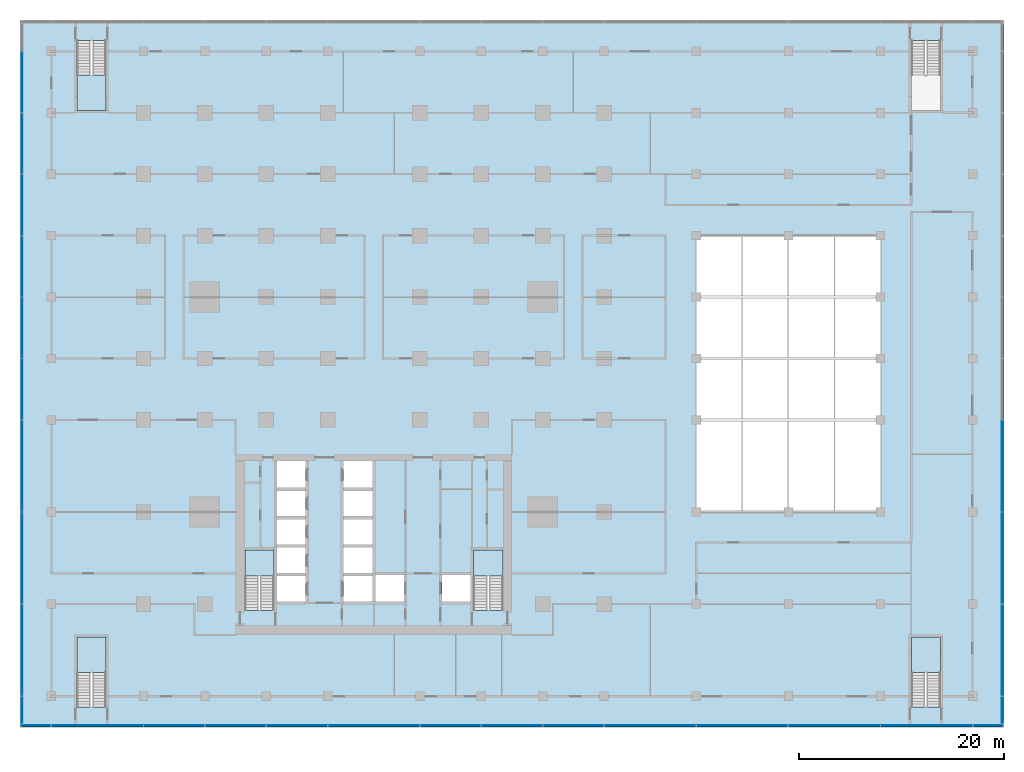
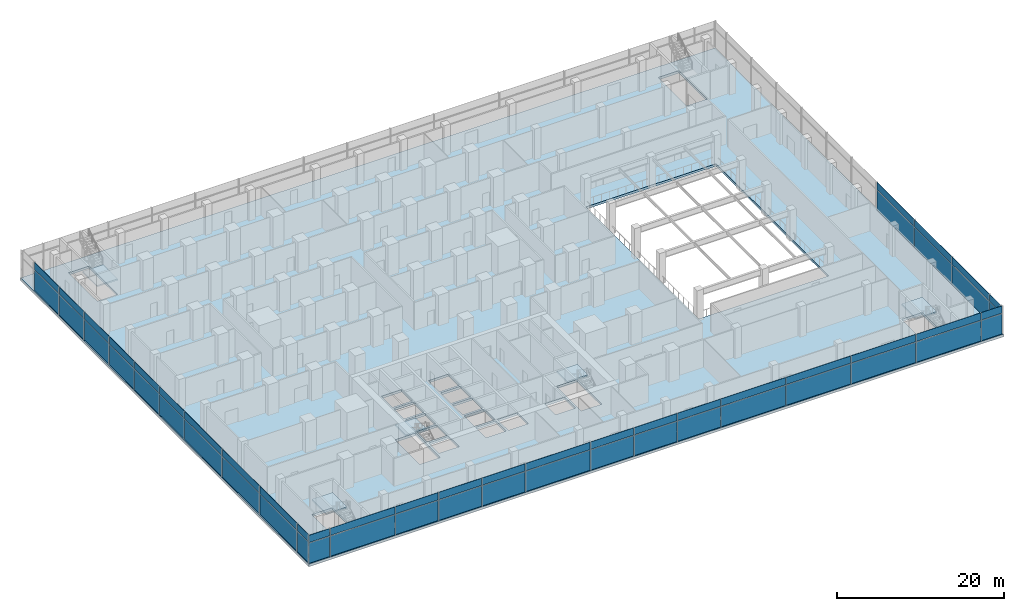
# One storey, part 10 of 22: 56 plates, 6 slabs, 8 elements without a shape of their own.
"""IFC4 building model written with IfcOpenShell, lengths in metres."""

from ifc_helpers import new_model, si_unit, direction, frame, origin, origin_2d, place, context, subcontext, project, spatial, polyline, rectangle, outline, extrude, material, layer, layer_set, type_object, element, aggregate, save


model = new_model("IFC4")

# Units and contexts
model_context = context("Model", 3, precision=1e-05, world=origin(), true_north=direction((0.0, 1.0)))
body_context = subcontext(model_context, "Body", "Model", "MODEL_VIEW")
ifc_project = project(units=[si_unit("LENGTHUNIT", "METRE"), si_unit("AREAUNIT", "SQUARE_METRE"), si_unit("VOLUMEUNIT", "CUBIC_METRE"), si_unit("PLANEANGLEUNIT", "RADIAN"), si_unit("MASSUNIT", "GRAM", prefix="KILO")], contexts=[model_context])

# Site, building, storey
site_placement = place(None, origin())
site = spatial("IfcSite", under=ifc_project, at=site_placement, CompositionType="ELEMENT")
building_placement = place(site_placement, origin())
building = spatial("IfcBuilding", under=site, at=building_placement, Name="Finial Court Residences", CompositionType="ELEMENT")
storey_placement = place(building_placement, frame((0.0, 0.0, 28.0)))
storey = spatial("IfcBuildingStorey", under=building, at=storey_placement, Name="L05", CompositionType="ELEMENT", Elevation=28.0)

# Curtain wall, plates
ifc_material_1 = material(Name="Bronze anodised aluminium", Category="aluminium")
curtain_wall_type = type_object("IfcCurtainWallType", Name="Podium curtain wall", PredefinedType="NOTDEFINED", material=ifc_material_1)
curtain_wall_1_placement = place(storey_placement, origin())
curtain_wall_1 = element("IfcCurtainWall", 1, at=curtain_wall_1_placement, inside=storey, type_object=curtain_wall_type, Name="E-L05-CW-E2", PredefinedType="NOTDEFINED")
ifc_material_2 = material(Name="Clear low-e glass", Category="glass")
ifc_layer_1 = layer(ifc_material_2, 0.035888671875)
ifc_layer_set_1 = layer_set([ifc_layer_1], Name="CW5 vision glass 36")
plate_type = type_object("IfcPlateType", Name="CW5 vision glass 36", PredefinedType="CURTAIN_PANEL", material=ifc_layer_set_1)
plate_1_placement = place(storey_placement, frame((61.35009765625, -32.8486328125, 0.0), z_axis=(0.0, 0.0, 1.0), x_axis=(0.0, 1.0, 0.0)))
plate_1 = element("IfcPlate", 2, at=plate_1_placement, type_object=plate_type, Name="CW5 glass 1.1", PredefinedType="CURTAIN_PANEL", context=body_context, shape_type="SweptSolid", body=[
    extrude(rectangle(XDim=2.617431640625, YDim=0.035888671875, at=origin_2d()), origin(), (0.0, 0.0, 1.0), 2.9599609375),
])
plate_2_placement = place(storey_placement, frame((61.35009765625, -32.8486328125, 3.0400390625), z_axis=(0.0, 0.0, 1.0), x_axis=(0.0, 1.0, 0.0)))
plate_2 = element("IfcPlate", 3, at=plate_2_placement, type_object=plate_type, Name="CW5 glass 1.2", PredefinedType="CURTAIN_PANEL", context=body_context, shape_type="SweptSolid", body=[
    extrude(rectangle(XDim=2.617431640625, YDim=0.035888671875, at=origin_2d()), origin(), (0.0, 0.0, 1.0), 1.06005859375),
])
plate_3_placement = place(storey_placement, frame((61.35009765625, -27.0, 0.0), z_axis=(0.0, 0.0, 1.0), x_axis=(0.0, 1.0, 0.0)))
plate_3 = element("IfcPlate", 4, at=plate_3_placement, type_object=plate_type, Name="CW5 glass 2.1", PredefinedType="CURTAIN_PANEL", context=body_context, shape_type="SweptSolid", body=[
    extrude(rectangle(XDim=8.919921875, YDim=0.035888671875, at=origin_2d()), origin(), (0.0, 0.0, 1.0), 2.9599609375),
])
plate_4_placement = place(storey_placement, frame((61.35009765625, -27.0, 3.0400390625), z_axis=(0.0, 0.0, 1.0), x_axis=(0.0, 1.0, 0.0)))
plate_4 = element("IfcPlate", 5, at=plate_4_placement, type_object=plate_type, Name="CW5 glass 2.2", PredefinedType="CURTAIN_PANEL", context=body_context, shape_type="SweptSolid", body=[
    extrude(rectangle(XDim=8.919921875, YDim=0.035888671875, at=origin_2d()), origin(), (0.0, 0.0, 1.0), 1.06005859375),
])
plate_5_placement = place(storey_placement, frame((61.35009765625, -18.0, 0.0), z_axis=(0.0, 0.0, 1.0), x_axis=(0.0, 1.0, 0.0)))
plate_5 = element("IfcPlate", 6, at=plate_5_placement, type_object=plate_type, Name="CW5 glass 3.1", PredefinedType="CURTAIN_PANEL", context=body_context, shape_type="SweptSolid", body=[
    extrude(rectangle(XDim=8.919921875, YDim=0.035888671875, at=origin_2d()), origin(), (0.0, 0.0, 1.0), 2.9599609375),
])
plate_6_placement = place(storey_placement, frame((61.35009765625, -18.0, 3.0400390625), z_axis=(0.0, 0.0, 1.0), x_axis=(0.0, 1.0, 0.0)))
plate_6 = element("IfcPlate", 7, at=plate_6_placement, type_object=plate_type, Name="CW5 glass 3.2", PredefinedType="CURTAIN_PANEL", context=body_context, shape_type="SweptSolid", body=[
    extrude(rectangle(XDim=8.919921875, YDim=0.035888671875, at=origin_2d()), origin(), (0.0, 0.0, 1.0), 1.06005859375),
])
plate_7_placement = place(storey_placement, frame((61.35009765625, -9.0, 0.0), z_axis=(0.0, 0.0, 1.0), x_axis=(0.0, 1.0, 0.0)))
plate_7 = element("IfcPlate", 8, at=plate_7_placement, type_object=plate_type, Name="CW5 glass 4.1", PredefinedType="CURTAIN_PANEL", context=body_context, shape_type="SweptSolid", body=[
    extrude(rectangle(XDim=8.919921875, YDim=0.035888671875, at=origin_2d()), origin(), (0.0, 0.0, 1.0), 2.9599609375),
])
plate_8_placement = place(storey_placement, frame((61.35009765625, -9.0, 3.0400390625), z_axis=(0.0, 0.0, 1.0), x_axis=(0.0, 1.0, 0.0)))
plate_8 = element("IfcPlate", 9, at=plate_8_placement, type_object=plate_type, Name="CW5 glass 4.2", PredefinedType="CURTAIN_PANEL", context=body_context, shape_type="SweptSolid", body=[
    extrude(rectangle(XDim=8.919921875, YDim=0.035888671875, at=origin_2d()), origin(), (0.0, 0.0, 1.0), 1.06005859375),
])
aggregate(curtain_wall_1, [plate_1, plate_2, plate_3, plate_4, plate_5, plate_6, plate_7, plate_8])

curtain_wall_2_placement = place(storey_placement, origin())
curtain_wall_2 = element("IfcCurtainWall", 10, at=curtain_wall_2_placement, inside=storey, type_object=curtain_wall_type, Name="E-L05-CW-S3", PredefinedType="NOTDEFINED")
plate_9_placement = place(storey_placement, frame((-32.97998046875, -34.35009765625, 0.0), z_axis=(0.0, 0.0, 1.0), x_axis=(1.0, 0.0, 0.0)))
plate_9 = element("IfcPlate", 11, at=plate_9_placement, type_object=plate_type, Name="CW5 glass 1.1", PredefinedType="CURTAIN_PANEL", context=body_context, shape_type="SweptSolid", body=[
    extrude(rectangle(XDim=2.8798828125, YDim=0.035888671875, at=origin_2d()), origin(), (0.0, 0.0, 1.0), 2.9599609375),
])
plate_10_placement = place(storey_placement, frame((-32.97998046875, -34.35009765625, 3.0400390625), z_axis=(0.0, 0.0, 1.0), x_axis=(1.0, 0.0, 0.0)))
plate_10 = element("IfcPlate", 12, at=plate_10_placement, type_object=plate_type, Name="CW5 glass 1.2", PredefinedType="CURTAIN_PANEL", context=body_context, shape_type="SweptSolid", body=[
    extrude(rectangle(XDim=2.8798828125, YDim=0.035888671875, at=origin_2d()), origin(), (0.0, 0.0, 1.0), 1.06005859375),
])
plate_11_placement = place(storey_placement, frame((-27.0, -34.35009765625, 0.0), z_axis=(0.0, 0.0, 1.0), x_axis=(1.0, 0.0, 0.0)))
plate_11 = element("IfcPlate", 13, at=plate_11_placement, type_object=plate_type, Name="CW5 glass 2.1", PredefinedType="CURTAIN_PANEL", context=body_context, shape_type="SweptSolid", body=[
    extrude(rectangle(XDim=8.919921875, YDim=0.035888671875, at=origin_2d()), origin(), (0.0, 0.0, 1.0), 2.9599609375),
])
plate_12_placement = place(storey_placement, frame((-27.0, -34.35009765625, 3.0400390625), z_axis=(0.0, 0.0, 1.0), x_axis=(1.0, 0.0, 0.0)))
plate_12 = element("IfcPlate", 14, at=plate_12_placement, type_object=plate_type, Name="CW5 glass 2.2", PredefinedType="CURTAIN_PANEL", context=body_context, shape_type="SweptSolid", body=[
    extrude(rectangle(XDim=8.919921875, YDim=0.035888671875, at=origin_2d()), origin(), (0.0, 0.0, 1.0), 1.06005859375),
])
plate_13_placement = place(storey_placement, frame((-19.5, -34.35009765625, 0.0), z_axis=(0.0, 0.0, 1.0), x_axis=(1.0, 0.0, 0.0)))
plate_13 = element("IfcPlate", 15, at=plate_13_placement, type_object=plate_type, Name="CW5 glass 3.1", PredefinedType="CURTAIN_PANEL", context=body_context, shape_type="SweptSolid", body=[
    extrude(rectangle(XDim=5.919921875, YDim=0.035888671875, at=origin_2d()), origin(), (0.0, 0.0, 1.0), 2.9599609375),
])
plate_14_placement = place(storey_placement, frame((-19.5, -34.35009765625, 3.0400390625), z_axis=(0.0, 0.0, 1.0), x_axis=(1.0, 0.0, 0.0)))
plate_14 = element("IfcPlate", 16, at=plate_14_placement, type_object=plate_type, Name="CW5 glass 3.2", PredefinedType="CURTAIN_PANEL", context=body_context, shape_type="SweptSolid", body=[
    extrude(rectangle(XDim=5.919921875, YDim=0.035888671875, at=origin_2d()), origin(), (0.0, 0.0, 1.0), 1.06005859375),
])
plate_15_placement = place(storey_placement, frame((-13.5, -34.35009765625, 0.0), z_axis=(0.0, 0.0, 1.0), x_axis=(1.0, 0.0, 0.0)))
plate_15 = element("IfcPlate", 17, at=plate_15_placement, type_object=plate_type, Name="CW5 glass 4.1", PredefinedType="CURTAIN_PANEL", context=body_context, shape_type="SweptSolid", body=[
    extrude(rectangle(XDim=5.919921875, YDim=0.035888671875, at=origin_2d()), origin(), (0.0, 0.0, 1.0), 2.9599609375),
])
plate_16_placement = place(storey_placement, frame((-13.5, -34.35009765625, 3.0400390625), z_axis=(0.0, 0.0, 1.0), x_axis=(1.0, 0.0, 0.0)))
plate_16 = element("IfcPlate", 18, at=plate_16_placement, type_object=plate_type, Name="CW5 glass 4.2", PredefinedType="CURTAIN_PANEL", context=body_context, shape_type="SweptSolid", body=[
    extrude(rectangle(XDim=5.919921875, YDim=0.035888671875, at=origin_2d()), origin(), (0.0, 0.0, 1.0), 1.06005859375),
])
plate_17_placement = place(storey_placement, frame((-7.5, -34.35009765625, 0.0), z_axis=(0.0, 0.0, 1.0), x_axis=(1.0, 0.0, 0.0)))
plate_17 = element("IfcPlate", 19, at=plate_17_placement, type_object=plate_type, Name="CW5 glass 5.1", PredefinedType="CURTAIN_PANEL", context=body_context, shape_type="SweptSolid", body=[
    extrude(rectangle(XDim=5.919921875, YDim=0.035888671875, at=origin_2d()), origin(), (0.0, 0.0, 1.0), 2.9599609375),
])
plate_18_placement = place(storey_placement, frame((-7.5, -34.35009765625, 3.0400390625), z_axis=(0.0, 0.0, 1.0), x_axis=(1.0, 0.0, 0.0)))
plate_18 = element("IfcPlate", 20, at=plate_18_placement, type_object=plate_type, Name="CW5 glass 5.2", PredefinedType="CURTAIN_PANEL", context=body_context, shape_type="SweptSolid", body=[
    extrude(rectangle(XDim=5.919921875, YDim=0.035888671875, at=origin_2d()), origin(), (0.0, 0.0, 1.0), 1.06005859375),
])
plate_19_placement = place(storey_placement, frame((0.0, -34.35009765625, 0.0), z_axis=(0.0, 0.0, 1.0), x_axis=(1.0, 0.0, 0.0)))
plate_19 = element("IfcPlate", 21, at=plate_19_placement, type_object=plate_type, Name="CW5 glass 6.1", PredefinedType="CURTAIN_PANEL", context=body_context, shape_type="SweptSolid", body=[
    extrude(rectangle(XDim=8.919921875, YDim=0.035888671875, at=origin_2d()), origin(), (0.0, 0.0, 1.0), 2.9599609375),
])
plate_20_placement = place(storey_placement, frame((0.0, -34.35009765625, 3.0400390625), z_axis=(0.0, 0.0, 1.0), x_axis=(1.0, 0.0, 0.0)))
plate_20 = element("IfcPlate", 22, at=plate_20_placement, type_object=plate_type, Name="CW5 glass 6.2", PredefinedType="CURTAIN_PANEL", context=body_context, shape_type="SweptSolid", body=[
    extrude(rectangle(XDim=8.919921875, YDim=0.035888671875, at=origin_2d()), origin(), (0.0, 0.0, 1.0), 1.06005859375),
])
plate_21_placement = place(storey_placement, frame((7.5, -34.35009765625, 0.0), z_axis=(0.0, 0.0, 1.0), x_axis=(1.0, 0.0, 0.0)))
plate_21 = element("IfcPlate", 23, at=plate_21_placement, type_object=plate_type, Name="CW5 glass 7.1", PredefinedType="CURTAIN_PANEL", context=body_context, shape_type="SweptSolid", body=[
    extrude(rectangle(XDim=5.919921875, YDim=0.035888671875, at=origin_2d()), origin(), (0.0, 0.0, 1.0), 2.9599609375),
])
plate_22_placement = place(storey_placement, frame((7.5, -34.35009765625, 3.0400390625), z_axis=(0.0, 0.0, 1.0), x_axis=(1.0, 0.0, 0.0)))
plate_22 = element("IfcPlate", 24, at=plate_22_placement, type_object=plate_type, Name="CW5 glass 7.2", PredefinedType="CURTAIN_PANEL", context=body_context, shape_type="SweptSolid", body=[
    extrude(rectangle(XDim=5.919921875, YDim=0.035888671875, at=origin_2d()), origin(), (0.0, 0.0, 1.0), 1.06005859375),
])
plate_23_placement = place(storey_placement, frame((13.5, -34.35009765625, 0.0), z_axis=(0.0, 0.0, 1.0), x_axis=(1.0, 0.0, 0.0)))
plate_23 = element("IfcPlate", 25, at=plate_23_placement, type_object=plate_type, Name="CW5 glass 8.1", PredefinedType="CURTAIN_PANEL", context=body_context, shape_type="SweptSolid", body=[
    extrude(rectangle(XDim=5.919921875, YDim=0.035888671875, at=origin_2d()), origin(), (0.0, 0.0, 1.0), 2.9599609375),
])
plate_24_placement = place(storey_placement, frame((13.5, -34.35009765625, 3.0400390625), z_axis=(0.0, 0.0, 1.0), x_axis=(1.0, 0.0, 0.0)))
plate_24 = element("IfcPlate", 26, at=plate_24_placement, type_object=plate_type, Name="CW5 glass 8.2", PredefinedType="CURTAIN_PANEL", context=body_context, shape_type="SweptSolid", body=[
    extrude(rectangle(XDim=5.919921875, YDim=0.035888671875, at=origin_2d()), origin(), (0.0, 0.0, 1.0), 1.06005859375),
])
plate_25_placement = place(storey_placement, frame((19.5, -34.35009765625, 0.0), z_axis=(0.0, 0.0, 1.0), x_axis=(1.0, 0.0, 0.0)))
plate_25 = element("IfcPlate", 27, at=plate_25_placement, type_object=plate_type, Name="CW5 glass 9.1", PredefinedType="CURTAIN_PANEL", context=body_context, shape_type="SweptSolid", body=[
    extrude(rectangle(XDim=5.919921875, YDim=0.035888671875, at=origin_2d()), origin(), (0.0, 0.0, 1.0), 2.9599609375),
])
plate_26_placement = place(storey_placement, frame((19.5, -34.35009765625, 3.0400390625), z_axis=(0.0, 0.0, 1.0), x_axis=(1.0, 0.0, 0.0)))
plate_26 = element("IfcPlate", 28, at=plate_26_placement, type_object=plate_type, Name="CW5 glass 9.2", PredefinedType="CURTAIN_PANEL", context=body_context, shape_type="SweptSolid", body=[
    extrude(rectangle(XDim=5.919921875, YDim=0.035888671875, at=origin_2d()), origin(), (0.0, 0.0, 1.0), 1.06005859375),
])
plate_27_placement = place(storey_placement, frame((27.0, -34.35009765625, 0.0), z_axis=(0.0, 0.0, 1.0), x_axis=(1.0, 0.0, 0.0)))
plate_27 = element("IfcPlate", 29, at=plate_27_placement, type_object=plate_type, Name="CW5 glass 10.1", PredefinedType="CURTAIN_PANEL", context=body_context, shape_type="SweptSolid", body=[
    extrude(rectangle(XDim=8.919921875, YDim=0.035888671875, at=origin_2d()), origin(), (0.0, 0.0, 1.0), 2.9599609375),
])
plate_28_placement = place(storey_placement, frame((27.0, -34.35009765625, 3.0400390625), z_axis=(0.0, 0.0, 1.0), x_axis=(1.0, 0.0, 0.0)))
plate_28 = element("IfcPlate", 30, at=plate_28_placement, type_object=plate_type, Name="CW5 glass 10.2", PredefinedType="CURTAIN_PANEL", context=body_context, shape_type="SweptSolid", body=[
    extrude(rectangle(XDim=8.919921875, YDim=0.035888671875, at=origin_2d()), origin(), (0.0, 0.0, 1.0), 1.06005859375),
])
plate_29_placement = place(storey_placement, frame((36.0, -34.35009765625, 0.0), z_axis=(0.0, 0.0, 1.0), x_axis=(1.0, 0.0, 0.0)))
plate_29 = element("IfcPlate", 31, at=plate_29_placement, type_object=plate_type, Name="CW5 glass 11.1", PredefinedType="CURTAIN_PANEL", context=body_context, shape_type="SweptSolid", body=[
    extrude(rectangle(XDim=8.919921875, YDim=0.035888671875, at=origin_2d()), origin(), (0.0, 0.0, 1.0), 2.9599609375),
])
plate_30_placement = place(storey_placement, frame((36.0, -34.35009765625, 3.0400390625), z_axis=(0.0, 0.0, 1.0), x_axis=(1.0, 0.0, 0.0)))
plate_30 = element("IfcPlate", 32, at=plate_30_placement, type_object=plate_type, Name="CW5 glass 11.2", PredefinedType="CURTAIN_PANEL", context=body_context, shape_type="SweptSolid", body=[
    extrude(rectangle(XDim=8.919921875, YDim=0.035888671875, at=origin_2d()), origin(), (0.0, 0.0, 1.0), 1.06005859375),
])
plate_31_placement = place(storey_placement, frame((45.0, -34.35009765625, 0.0), z_axis=(0.0, 0.0, 1.0), x_axis=(1.0, 0.0, 0.0)))
plate_31 = element("IfcPlate", 33, at=plate_31_placement, type_object=plate_type, Name="CW5 glass 12.1", PredefinedType="CURTAIN_PANEL", context=body_context, shape_type="SweptSolid", body=[
    extrude(rectangle(XDim=8.919921875, YDim=0.035888671875, at=origin_2d()), origin(), (0.0, 0.0, 1.0), 2.9599609375),
])
plate_32_placement = place(storey_placement, frame((45.0, -34.35009765625, 3.0400390625), z_axis=(0.0, 0.0, 1.0), x_axis=(1.0, 0.0, 0.0)))
plate_32 = element("IfcPlate", 34, at=plate_32_placement, type_object=plate_type, Name="CW5 glass 12.2", PredefinedType="CURTAIN_PANEL", context=body_context, shape_type="SweptSolid", body=[
    extrude(rectangle(XDim=8.919921875, YDim=0.035888671875, at=origin_2d()), origin(), (0.0, 0.0, 1.0), 1.06005859375),
])
plate_33_placement = place(storey_placement, frame((54.0, -34.35009765625, 0.0), z_axis=(0.0, 0.0, 1.0), x_axis=(1.0, 0.0, 0.0)))
plate_33 = element("IfcPlate", 35, at=plate_33_placement, type_object=plate_type, Name="CW5 glass 13.1", PredefinedType="CURTAIN_PANEL", context=body_context, shape_type="SweptSolid", body=[
    extrude(rectangle(XDim=8.919921875, YDim=0.035888671875, at=origin_2d()), origin(), (0.0, 0.0, 1.0), 2.9599609375),
])
plate_34_placement = place(storey_placement, frame((54.0, -34.35009765625, 3.0400390625), z_axis=(0.0, 0.0, 1.0), x_axis=(1.0, 0.0, 0.0)))
plate_34 = element("IfcPlate", 36, at=plate_34_placement, type_object=plate_type, Name="CW5 glass 13.2", PredefinedType="CURTAIN_PANEL", context=body_context, shape_type="SweptSolid", body=[
    extrude(rectangle(XDim=8.919921875, YDim=0.035888671875, at=origin_2d()), origin(), (0.0, 0.0, 1.0), 1.06005859375),
])
plate_35_placement = place(storey_placement, frame((59.97998046875, -34.35009765625, 0.0), z_axis=(0.0, 0.0, 1.0), x_axis=(1.0, 0.0, 0.0)))
plate_35 = element("IfcPlate", 37, at=plate_35_placement, type_object=plate_type, Name="CW5 glass 14.1", PredefinedType="CURTAIN_PANEL", context=body_context, shape_type="SweptSolid", body=[
    extrude(rectangle(XDim=2.8798828125, YDim=0.035888671875, at=origin_2d()), origin(), (0.0, 0.0, 1.0), 2.9599609375),
])
plate_36_placement = place(storey_placement, frame((59.97998046875, -34.35009765625, 3.0400390625), z_axis=(0.0, 0.0, 1.0), x_axis=(1.0, 0.0, 0.0)))
plate_36 = element("IfcPlate", 38, at=plate_36_placement, type_object=plate_type, Name="CW5 glass 14.2", PredefinedType="CURTAIN_PANEL", context=body_context, shape_type="SweptSolid", body=[
    extrude(rectangle(XDim=2.8798828125, YDim=0.035888671875, at=origin_2d()), origin(), (0.0, 0.0, 1.0), 1.06005859375),
])
aggregate(curtain_wall_2, [plate_9, plate_10, plate_11, plate_12, plate_13, plate_14, plate_15, plate_16, plate_17, plate_18, plate_19, plate_20, plate_21, plate_22, plate_23, plate_24, plate_25, plate_26, plate_27, plate_28, plate_29, plate_30, plate_31, plate_32, plate_33, plate_34, plate_35, plate_36])

curtain_wall_3_placement = place(storey_placement, origin())
curtain_wall_3 = element("IfcCurtainWall", 39, at=curtain_wall_3_placement, inside=storey, type_object=curtain_wall_type, Name="E-L05-CW-W4", PredefinedType="NOTDEFINED")
plate_37_placement = place(storey_placement, frame((-34.35009765625, -32.8486328125, 0.0), z_axis=(0.0, 0.0, 1.0), x_axis=(0.0, 1.0, 0.0)))
plate_37 = element("IfcPlate", 40, at=plate_37_placement, type_object=plate_type, Name="CW5 glass 1.1", PredefinedType="CURTAIN_PANEL", context=body_context, shape_type="SweptSolid", body=[
    extrude(rectangle(XDim=2.617431640625, YDim=0.035888671875, at=origin_2d()), origin(), (0.0, 0.0, 1.0), 2.9599609375),
])
plate_38_placement = place(storey_placement, frame((-34.35009765625, -32.8486328125, 3.0400390625), z_axis=(0.0, 0.0, 1.0), x_axis=(0.0, 1.0, 0.0)))
plate_38 = element("IfcPlate", 41, at=plate_38_placement, type_object=plate_type, Name="CW5 glass 1.2", PredefinedType="CURTAIN_PANEL", context=body_context, shape_type="SweptSolid", body=[
    extrude(rectangle(XDim=2.617431640625, YDim=0.035888671875, at=origin_2d()), origin(), (0.0, 0.0, 1.0), 1.06005859375),
])
plate_39_placement = place(storey_placement, frame((-34.35009765625, -27.0, 0.0), z_axis=(0.0, 0.0, 1.0), x_axis=(0.0, 1.0, 0.0)))
plate_39 = element("IfcPlate", 42, at=plate_39_placement, type_object=plate_type, Name="CW5 glass 2.1", PredefinedType="CURTAIN_PANEL", context=body_context, shape_type="SweptSolid", body=[
    extrude(rectangle(XDim=8.919921875, YDim=0.035888671875, at=origin_2d()), origin(), (0.0, 0.0, 1.0), 2.9599609375),
])
plate_40_placement = place(storey_placement, frame((-34.35009765625, -27.0, 3.0400390625), z_axis=(0.0, 0.0, 1.0), x_axis=(0.0, 1.0, 0.0)))
plate_40 = element("IfcPlate", 43, at=plate_40_placement, type_object=plate_type, Name="CW5 glass 2.2", PredefinedType="CURTAIN_PANEL", context=body_context, shape_type="SweptSolid", body=[
    extrude(rectangle(XDim=8.919921875, YDim=0.035888671875, at=origin_2d()), origin(), (0.0, 0.0, 1.0), 1.06005859375),
])
plate_41_placement = place(storey_placement, frame((-34.35009765625, -18.0, 0.0), z_axis=(0.0, 0.0, 1.0), x_axis=(0.0, 1.0, 0.0)))
plate_41 = element("IfcPlate", 44, at=plate_41_placement, type_object=plate_type, Name="CW5 glass 3.1", PredefinedType="CURTAIN_PANEL", context=body_context, shape_type="SweptSolid", body=[
    extrude(rectangle(XDim=8.919921875, YDim=0.035888671875, at=origin_2d()), origin(), (0.0, 0.0, 1.0), 2.9599609375),
])
plate_42_placement = place(storey_placement, frame((-34.35009765625, -18.0, 3.0400390625), z_axis=(0.0, 0.0, 1.0), x_axis=(0.0, 1.0, 0.0)))
plate_42 = element("IfcPlate", 45, at=plate_42_placement, type_object=plate_type, Name="CW5 glass 3.2", PredefinedType="CURTAIN_PANEL", context=body_context, shape_type="SweptSolid", body=[
    extrude(rectangle(XDim=8.919921875, YDim=0.035888671875, at=origin_2d()), origin(), (0.0, 0.0, 1.0), 1.06005859375),
])
plate_43_placement = place(storey_placement, frame((-34.35009765625, -9.0, 0.0), z_axis=(0.0, 0.0, 1.0), x_axis=(0.0, 1.0, 0.0)))
plate_43 = element("IfcPlate", 46, at=plate_43_placement, type_object=plate_type, Name="CW5 glass 4.1", PredefinedType="CURTAIN_PANEL", context=body_context, shape_type="SweptSolid", body=[
    extrude(rectangle(XDim=8.919921875, YDim=0.035888671875, at=origin_2d()), origin(), (0.0, 0.0, 1.0), 2.9599609375),
])
plate_44_placement = place(storey_placement, frame((-34.35009765625, -9.0, 3.0400390625), z_axis=(0.0, 0.0, 1.0), x_axis=(0.0, 1.0, 0.0)))
plate_44 = element("IfcPlate", 47, at=plate_44_placement, type_object=plate_type, Name="CW5 glass 4.2", PredefinedType="CURTAIN_PANEL", context=body_context, shape_type="SweptSolid", body=[
    extrude(rectangle(XDim=8.919921875, YDim=0.035888671875, at=origin_2d()), origin(), (0.0, 0.0, 1.0), 1.06005859375),
])
plate_45_placement = place(storey_placement, frame((-34.35009765625, -1.5, 0.0), z_axis=(0.0, 0.0, 1.0), x_axis=(0.0, 1.0, 0.0)))
plate_45 = element("IfcPlate", 48, at=plate_45_placement, type_object=plate_type, Name="CW5 glass 5.1", PredefinedType="CURTAIN_PANEL", context=body_context, shape_type="SweptSolid", body=[
    extrude(rectangle(XDim=5.919921875, YDim=0.035888671875, at=origin_2d()), origin(), (0.0, 0.0, 1.0), 2.9599609375),
])
plate_46_placement = place(storey_placement, frame((-34.35009765625, -1.5, 3.0400390625), z_axis=(0.0, 0.0, 1.0), x_axis=(0.0, 1.0, 0.0)))
plate_46 = element("IfcPlate", 49, at=plate_46_placement, type_object=plate_type, Name="CW5 glass 5.2", PredefinedType="CURTAIN_PANEL", context=body_context, shape_type="SweptSolid", body=[
    extrude(rectangle(XDim=5.919921875, YDim=0.035888671875, at=origin_2d()), origin(), (0.0, 0.0, 1.0), 1.06005859375),
])
plate_47_placement = place(storey_placement, frame((-34.35009765625, 4.5, 0.0), z_axis=(0.0, 0.0, 1.0), x_axis=(0.0, 1.0, 0.0)))
plate_47 = element("IfcPlate", 50, at=plate_47_placement, type_object=plate_type, Name="CW5 glass 6.1", PredefinedType="CURTAIN_PANEL", context=body_context, shape_type="SweptSolid", body=[
    extrude(rectangle(XDim=5.919921875, YDim=0.035888671875, at=origin_2d()), origin(), (0.0, 0.0, 1.0), 2.9599609375),
])
plate_48_placement = place(storey_placement, frame((-34.35009765625, 4.5, 3.0400390625), z_axis=(0.0, 0.0, 1.0), x_axis=(0.0, 1.0, 0.0)))
plate_48 = element("IfcPlate", 51, at=plate_48_placement, type_object=plate_type, Name="CW5 glass 6.2", PredefinedType="CURTAIN_PANEL", context=body_context, shape_type="SweptSolid", body=[
    extrude(rectangle(XDim=5.919921875, YDim=0.035888671875, at=origin_2d()), origin(), (0.0, 0.0, 1.0), 1.06005859375),
])
plate_49_placement = place(storey_placement, frame((-34.35009765625, 10.5, 0.0), z_axis=(0.0, 0.0, 1.0), x_axis=(0.0, 1.0, 0.0)))
plate_49 = element("IfcPlate", 52, at=plate_49_placement, type_object=plate_type, Name="CW5 glass 7.1", PredefinedType="CURTAIN_PANEL", context=body_context, shape_type="SweptSolid", body=[
    extrude(rectangle(XDim=5.919921875, YDim=0.035888671875, at=origin_2d()), origin(), (0.0, 0.0, 1.0), 2.9599609375),
])
plate_50_placement = place(storey_placement, frame((-34.35009765625, 10.5, 3.0400390625), z_axis=(0.0, 0.0, 1.0), x_axis=(0.0, 1.0, 0.0)))
plate_50 = element("IfcPlate", 53, at=plate_50_placement, type_object=plate_type, Name="CW5 glass 7.2", PredefinedType="CURTAIN_PANEL", context=body_context, shape_type="SweptSolid", body=[
    extrude(rectangle(XDim=5.919921875, YDim=0.035888671875, at=origin_2d()), origin(), (0.0, 0.0, 1.0), 1.06005859375),
])
plate_51_placement = place(storey_placement, frame((-34.35009765625, 16.5, 0.0), z_axis=(0.0, 0.0, 1.0), x_axis=(0.0, 1.0, 0.0)))
plate_51 = element("IfcPlate", 54, at=plate_51_placement, type_object=plate_type, Name="CW5 glass 8.1", PredefinedType="CURTAIN_PANEL", context=body_context, shape_type="SweptSolid", body=[
    extrude(rectangle(XDim=5.919921875, YDim=0.035888671875, at=origin_2d()), origin(), (0.0, 0.0, 1.0), 2.9599609375),
])
plate_52_placement = place(storey_placement, frame((-34.35009765625, 16.5, 3.0400390625), z_axis=(0.0, 0.0, 1.0), x_axis=(0.0, 1.0, 0.0)))
plate_52 = element("IfcPlate", 55, at=plate_52_placement, type_object=plate_type, Name="CW5 glass 8.2", PredefinedType="CURTAIN_PANEL", context=body_context, shape_type="SweptSolid", body=[
    extrude(rectangle(XDim=5.919921875, YDim=0.035888671875, at=origin_2d()), origin(), (0.0, 0.0, 1.0), 1.06005859375),
])
plate_53_placement = place(storey_placement, frame((-34.35009765625, 22.5, 0.0), z_axis=(0.0, 0.0, 1.0), x_axis=(0.0, 1.0, 0.0)))
plate_53 = element("IfcPlate", 56, at=plate_53_placement, type_object=plate_type, Name="CW5 glass 9.1", PredefinedType="CURTAIN_PANEL", context=body_context, shape_type="SweptSolid", body=[
    extrude(rectangle(XDim=5.919921875, YDim=0.035888671875, at=origin_2d()), origin(), (0.0, 0.0, 1.0), 2.9599609375),
])
plate_54_placement = place(storey_placement, frame((-34.35009765625, 22.5, 3.0400390625), z_axis=(0.0, 0.0, 1.0), x_axis=(0.0, 1.0, 0.0)))
plate_54 = element("IfcPlate", 57, at=plate_54_placement, type_object=plate_type, Name="CW5 glass 9.2", PredefinedType="CURTAIN_PANEL", context=body_context, shape_type="SweptSolid", body=[
    extrude(rectangle(XDim=5.919921875, YDim=0.035888671875, at=origin_2d()), origin(), (0.0, 0.0, 1.0), 1.06005859375),
])
plate_55_placement = place(storey_placement, frame((-34.35009765625, 28.5, 0.0), z_axis=(0.0, 0.0, 1.0), x_axis=(0.0, 1.0, 0.0)))
plate_55 = element("IfcPlate", 58, at=plate_55_placement, type_object=plate_type, Name="CW5 glass 10.1", PredefinedType="CURTAIN_PANEL", context=body_context, shape_type="SweptSolid", body=[
    extrude(rectangle(XDim=5.919921875, YDim=0.035888671875, at=origin_2d()), origin(), (0.0, 0.0, 1.0), 2.9599609375),
])
plate_56_placement = place(storey_placement, frame((-34.35009765625, 28.5, 3.0400390625), z_axis=(0.0, 0.0, 1.0), x_axis=(0.0, 1.0, 0.0)))
plate_56 = element("IfcPlate", 59, at=plate_56_placement, type_object=plate_type, Name="CW5 glass 10.2", PredefinedType="CURTAIN_PANEL", context=body_context, shape_type="SweptSolid", body=[
    extrude(rectangle(XDim=5.919921875, YDim=0.035888671875, at=origin_2d()), origin(), (0.0, 0.0, 1.0), 1.06005859375),
])
aggregate(curtain_wall_3, [plate_37, plate_38, plate_39, plate_40, plate_41, plate_42, plate_43, plate_44, plate_45, plate_46, plate_47, plate_48, plate_49, plate_50, plate_51, plate_52, plate_53, plate_54, plate_55, plate_56])

# Stair, slab
ifc_material_3 = material(Name="Concrete C50/60", Category="concrete")
stair_type = type_object("IfcStairType", Name="Exit stair 26 risers of 173.1 mm", PredefinedType="HALF_TURN_STAIR", material=ifc_material_3)
stair_1_placement = place(storey_placement, origin())
stair_1 = element("IfcStair", 60, at=stair_1_placement, inside=storey, type_object=stair_type, Name="L05 Exit stair ST-1", PredefinedType="HALF_TURN_STAIR")
ifc_layer_2 = layer(ifc_material_3, 0.199951171875)
ifc_layer_set_2 = layer_set([ifc_layer_2], Name="Exit stair landing")
slab_type_1 = type_object("IfcSlabType", Name="Exit stair landing", PredefinedType="LANDING", material=ifc_layer_set_2)
slab_1_placement = place(storey_placement, frame((0.0, 0.0, 2.050048828125)))
slab_1 = element("IfcSlab", 61, at=slab_1_placement, type_object=slab_type_1, Name="ST-1 landing 1", PredefinedType="LANDING", context=body_context, shape_type="SweptSolid", body=[
    extrude(outline(polyline([(-9.75, -19.739990234375), (-9.75, -17.199951171875), (-12.60009765625, -17.199951171875), (-12.60009765625, -19.739990234375), (-9.75, -19.739990234375)])), origin(), (0.0, 0.0, 1.0), 0.199951171875),
])
aggregate(stair_1, [slab_1])

stair_2_placement = place(storey_placement, origin())
stair_2 = element("IfcStair", 62, at=stair_2_placement, inside=storey, type_object=stair_type, Name="L05 Exit stair ST-2", PredefinedType="HALF_TURN_STAIR")
slab_2_placement = place(storey_placement, frame((0.0, 0.0, 2.050048828125)))
slab_2 = element("IfcSlab", 63, at=slab_2_placement, type_object=slab_type_1, Name="ST-2 landing 1", PredefinedType="LANDING", context=body_context, shape_type="SweptSolid", body=[
    extrude(outline(polyline([(12.60009765625, -19.739990234375), (12.60009765625, -17.199951171875), (9.75, -17.199951171875), (9.75, -19.739990234375), (12.60009765625, -19.739990234375)])), origin(), (0.0, 0.0, 1.0), 0.199951171875),
])
aggregate(stair_2, [slab_2])

stair_3_placement = place(storey_placement, origin())
stair_3 = element("IfcStair", 64, at=stair_3_placement, inside=storey, type_object=stair_type, Name="L05 Exit Stair 3", PredefinedType="HALF_TURN_STAIR")
slab_3_placement = place(storey_placement, frame((0.0, 0.0, 2.050048828125)))
slab_3 = element("IfcSlab", 65, at=slab_3_placement, type_object=slab_type_1, Name="ST-3 landing 1", PredefinedType="LANDING", context=body_context, shape_type="SweptSolid", body=[
    extrude(outline(polyline([(55.35009765625, -29.18994140625), (55.35009765625, -25.719970703125), (52.5, -25.719970703125), (52.5, -29.18994140625), (55.35009765625, -29.18994140625)])), origin(), (0.0, 0.0, 1.0), 0.199951171875),
])
aggregate(stair_3, [slab_3])

stair_4_placement = place(storey_placement, origin())
stair_4 = element("IfcStair", 66, at=stair_4_placement, inside=storey, type_object=stair_type, Name="L05 Exit Stair 4", PredefinedType="HALF_TURN_STAIR")
slab_4_placement = place(storey_placement, frame((0.0, 0.0, 2.050048828125)))
slab_4 = element("IfcSlab", 67, at=slab_4_placement, type_object=slab_type_1, Name="ST-4 landing 1", PredefinedType="LANDING", context=body_context, shape_type="SweptSolid", body=[
    extrude(outline(polyline([(-26.14990234375, -29.18994140625), (-26.14990234375, -25.719970703125), (-29.0, -25.719970703125), (-29.0, -29.18994140625), (-26.14990234375, -29.18994140625)])), origin(), (0.0, 0.0, 1.0), 0.199951171875),
])
aggregate(stair_4, [slab_4])

stair_5_placement = place(storey_placement, origin())
stair_5 = element("IfcStair", 68, at=stair_5_placement, inside=storey, type_object=stair_type, Name="L05 Exit Stair 6", PredefinedType="HALF_TURN_STAIR")
slab_5_placement = place(storey_placement, frame((0.0, 0.0, 2.050048828125)))
slab_5 = element("IfcSlab", 69, at=slab_5_placement, type_object=slab_type_1, Name="ST-6 landing 1", PredefinedType="LANDING", context=body_context, shape_type="SweptSolid", body=[
    extrude(outline(polyline([(-29.0, 29.18994140625), (-29.0, 25.719970703125), (-26.14990234375, 25.719970703125), (-26.14990234375, 29.18994140625), (-29.0, 29.18994140625)])), origin(), (0.0, 0.0, 1.0), 0.199951171875),
])
aggregate(stair_5, [slab_5])

# Slab
ifc_material_4 = material(Name="Concrete C40/50", Category="concrete")
ifc_layer_3 = layer(ifc_material_4, 0.35009765625)
ifc_layer_set_3 = layer_set([ifc_layer_3], Name="Flat plate slab 350 Concrete C40/50")
slab_type_2 = type_object("IfcSlabType", Name="Flat plate slab 350 Concrete C40/50", PredefinedType="FLOOR", material=ifc_layer_set_3)
slab_6_placement = place(storey_placement, frame((0.0, 0.0, -0.35009765625)))
element("IfcSlab", 70, at=slab_6_placement, inside=storey, type_object=slab_type_2, Name="S:SLAB:L05", PredefinedType="FLOOR", context=body_context, shape_type="SweptSolid", body=[
    extrude(outline(polyline([(-34.5, 34.5), (61.5, 34.5), (61.5, -34.5), (-34.5, -34.5), (-34.5, 34.5)]), holes=[polyline([(31.5, 13.5), (31.5, -13.5), (49.5, -13.5), (49.5, 13.5), (31.5, 13.5)]), polyline([(-26.14990234375, -25.719970703125), (-29.0, -25.719970703125), (-29.0, -32.549072265625), (-26.14990234375, -32.549072265625), (-26.14990234375, -25.719970703125)]), polyline([(-6.64990234375, -22.25), (-6.64990234375, -19.77001953125), (-9.449951171875, -19.77001953125), (-9.449951171875, -22.25), (-6.64990234375, -22.25)]), polyline([(-9.75, -17.199951171875), (-12.60009765625, -17.199951171875), (-12.60009765625, -23.09912109375), (-9.75, -23.09912109375), (-9.75, -17.199951171875)]), polyline([(-6.64990234375, -19.469970703125), (-6.64990234375, -16.989990234375), (-9.449951171875, -16.989990234375), (-9.449951171875, -19.469970703125), (-6.64990234375, -19.469970703125)]), polyline([(-6.64990234375, -16.68994140625), (-6.64990234375, -14.2099609375), (-9.449951171875, -14.2099609375), (-9.449951171875, -16.68994140625), (-6.64990234375, -16.68994140625)]), polyline([(-0.14990234375, -16.68994140625), (-0.14990234375, -14.2099609375), (-2.949951171875, -14.2099609375), (-2.949951171875, -16.68994140625), (-0.14990234375, -16.68994140625)]), polyline([(-6.64990234375, -13.909912109375), (-6.64990234375, -11.429931640625), (-9.449951171875, -11.429931640625), (-9.449951171875, -13.909912109375), (-6.64990234375, -13.909912109375)]), polyline([(-9.449951171875, -11.1298828125), (-6.64990234375, -11.1298828125), (-6.64990234375, -8.5), (-9.449951171875, -8.5), (-9.449951171875, -11.1298828125)]), polyline([(-26.14990234375, 25.719970703125), (-26.14990234375, 32.549072265625), (-29.0, 32.549072265625), (-29.0, 25.719970703125), (-26.14990234375, 25.719970703125)]), polyline([(55.35009765625, -25.719970703125), (52.5, -25.719970703125), (52.5, -32.549072265625), (55.35009765625, -32.549072265625), (55.35009765625, -25.719970703125)]), polyline([(-0.14990234375, -22.25), (-0.14990234375, -19.77001953125), (-2.949951171875, -19.77001953125), (-2.949951171875, -22.25), (-0.14990234375, -22.25)]), polyline([(2.949951171875, -22.25), (2.949951171875, -19.64990234375), (0.14990234375, -19.64990234375), (0.14990234375, -22.25), (2.949951171875, -22.25)]), polyline([(9.449951171875, -22.25), (9.449951171875, -19.64990234375), (6.64990234375, -19.64990234375), (6.64990234375, -22.25), (9.449951171875, -22.25)]), polyline([(12.60009765625, -17.199951171875), (9.75, -17.199951171875), (9.75, -23.09912109375), (12.60009765625, -23.09912109375), (12.60009765625, -17.199951171875)]), polyline([(-0.14990234375, -19.469970703125), (-0.14990234375, -16.989990234375), (-2.949951171875, -16.989990234375), (-2.949951171875, -19.469970703125), (-0.14990234375, -19.469970703125)]), polyline([(-0.14990234375, -13.909912109375), (-0.14990234375, -11.429931640625), (-2.949951171875, -11.429931640625), (-2.949951171875, -13.909912109375), (-0.14990234375, -13.909912109375)]), polyline([(-2.949951171875, -11.1298828125), (-0.14990234375, -11.1298828125), (-0.14990234375, -8.5), (-2.949951171875, -8.5), (-2.949951171875, -11.1298828125)]), polyline([(55.35009765625, 25.719970703125), (55.35009765625, 32.549072265625), (52.5, 32.549072265625), (52.5, 25.719970703125), (55.35009765625, 25.719970703125)])]), origin(), (0.0, 0.0, 1.0), 0.35009765625),
])

save(model, "model.ifc")
